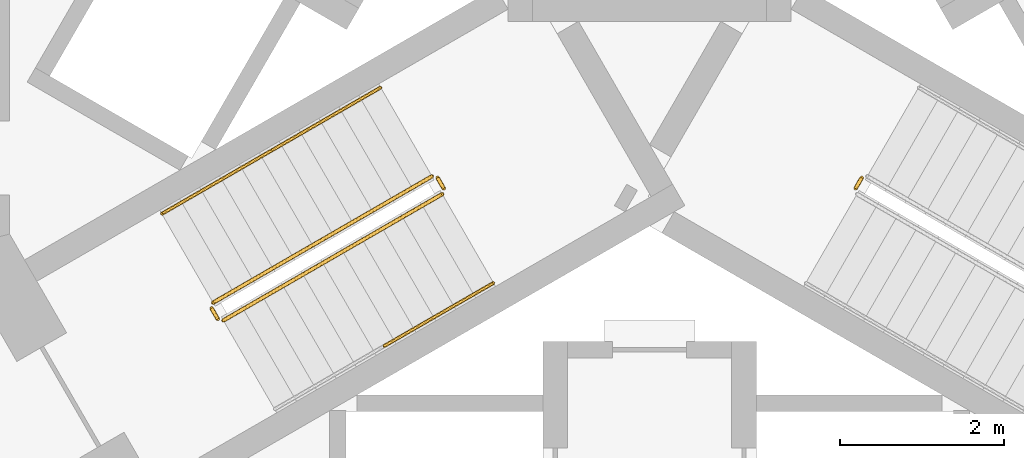
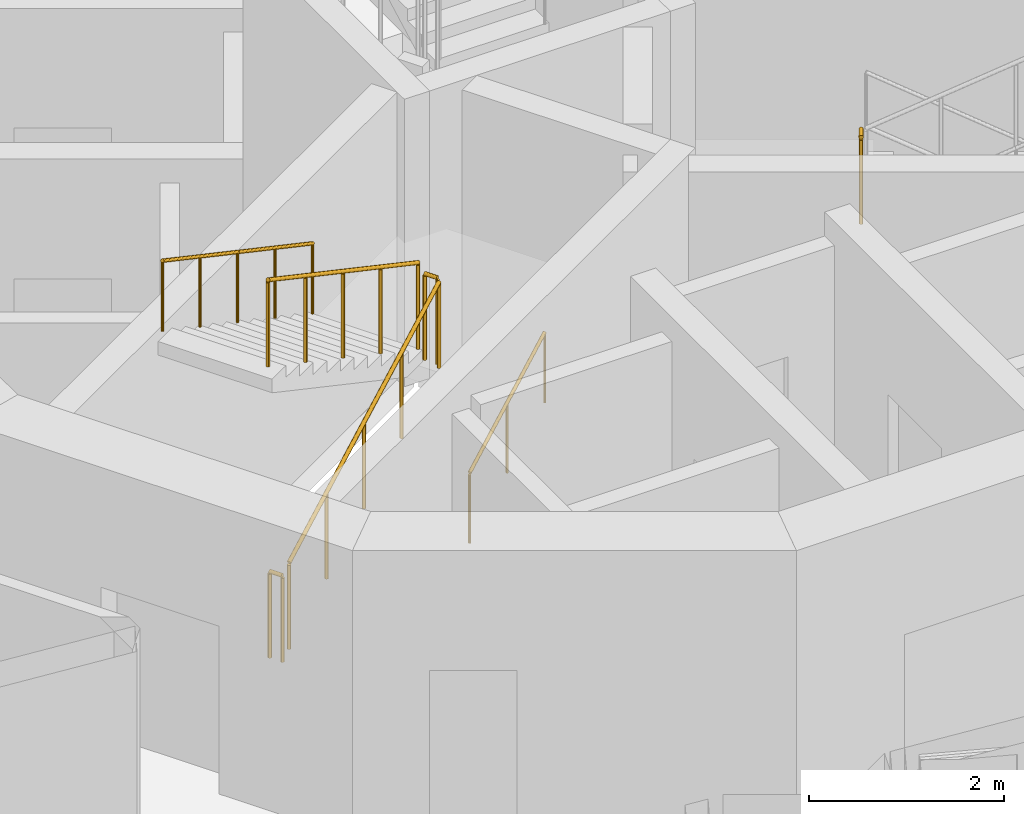
# One storey, part 11 of 16: 8 railings.
"""IFC4 building model written with IfcOpenShell, lengths in metres."""

from ifc_helpers import new_model, si_unit, direction, frame, origin, origin_2d, place, context, subcontext, project, spatial, circle, extrude, material, type_object, element, save


model = new_model("IFC4")

# Units and contexts
model_context = context("Model", 3, precision=1e-05, world=origin(), true_north=direction((0.0, 1.0)))
body_context = subcontext(model_context, "Body", "Model", "MODEL_VIEW")
ifc_project = project(units=[si_unit("LENGTHUNIT", "METRE"), si_unit("AREAUNIT", "SQUARE_METRE"), si_unit("VOLUMEUNIT", "CUBIC_METRE"), si_unit("PLANEANGLEUNIT", "RADIAN"), si_unit("MASSUNIT", "GRAM", prefix="KILO")], contexts=[model_context])

# Site, building, storey
site_placement = place(None, origin())
site = spatial("IfcSite", under=ifc_project, at=site_placement, CompositionType="ELEMENT")
building_placement = place(site_placement, origin())
building = spatial("IfcBuilding", under=site, at=building_placement, Name="Trine Commons Tower", CompositionType="ELEMENT")
storey_placement = place(building_placement, frame((0.0, 0.0, 201.60009765625)))
storey = spatial("IfcBuildingStorey", under=building, at=storey_placement, Name="L52", CompositionType="ELEMENT", Elevation=201.60009765625)

# Railings
ifc_material_1 = material(Name="Stainless steel balustrade", Category="steel")
railing_type_1 = type_object("IfcRailingType", Name="Stair guard, steel balustrade 1100", PredefinedType="GUARDRAIL", material=ifc_material_1)
railing_1_placement = place(storey_placement, frame((74.80517578125, 59.3564453125, 0.14990234375)))
element("IfcRailing", 1, at=railing_1_placement, inside=storey, type_object=railing_type_1, Name="L52 ST2C stair guard 1", PredefinedType="GUARDRAIL", context=body_context, shape_type="SweptSolid", body=[
    extrude(circle(Radius=0.02392578125, at=origin_2d()), frame((0.0, 0.0, 1.076171875), z_axis=(0.76340495495, 0.440743040072, 0.472184759798), x_axis=(-0.499992328818, 0.866029832698, 0.0)), (0.0, 0.0, 1.0), 3.494140625),
    extrude(circle(Radius=0.02099609375, at=origin_2d()), origin(), (0.0, 0.0, 1.0), 1.052001953125),
    extrude(circle(Radius=0.02099609375, at=origin_2d()), frame((0.6669921875, 0.385009765625, 0.41259765625)), (0.0, 0.0, 1.0), 1.052001953125),
    extrude(circle(Radius=0.02099609375, at=origin_2d()), frame((1.333740234375, 0.77001953125, 0.824951171875)), (0.0, 0.0, 1.0), 1.052001953125),
    extrude(circle(Radius=0.02099609375, at=origin_2d()), frame((2.00048828125, 1.155029296875, 1.2373046875)), (0.0, 0.0, 1.0), 1.052001953125),
    extrude(circle(Radius=0.02099609375, at=origin_2d()), frame((2.66748046875, 1.5400390625, 1.64990234375)), (0.0, 0.0, 1.0), 1.052001953125),
])
railing_2_placement = place(storey_placement, frame((77.490966796875, 60.96484375, 1.7998046875)))
element("IfcRailing", 2, at=railing_2_placement, inside=storey, type_object=railing_type_1, Name="L52 ST2C stair guard 2", PredefinedType="GUARDRAIL", context=body_context, shape_type="SweptSolid", body=[
    extrude(circle(Radius=0.02392578125, at=origin_2d()), frame((0.0, 0.0, 1.076171875), z_axis=(-0.501036270542, 0.865426285481, 0.0), x_axis=(-0.865426285481, -0.501036270542, 0.0)), (0.0, 0.0, 1.0), 0.150146484375),
    extrude(circle(Radius=0.02099609375, at=origin_2d()), origin(), (0.0, 0.0, 1.0), 1.052001953125),
    extrude(circle(Radius=0.02099609375, at=origin_2d()), frame((-0.0751953125, 0.1298828125, 0.0)), (0.0, 0.0, 1.0), 1.052001953125),
])
railing_3_placement = place(storey_placement, frame((77.34765625, 61.113037109375, 1.949951171875)))
element("IfcRailing", 3, at=railing_3_placement, inside=storey, type_object=railing_type_1, Name="L52 ST2C stair guard 3", PredefinedType="GUARDRAIL", context=body_context, shape_type="SweptSolid", body=[
    extrude(circle(Radius=0.02392578125, at=origin_2d()), frame((0.0, 0.0, 1.076171875), z_axis=(-0.76340495495, -0.440743040072, 0.472184759798), x_axis=(0.499992328818, -0.866029832698, 0.0)), (0.0, 0.0, 1.0), 3.494140625),
    extrude(circle(Radius=0.02099609375, at=origin_2d()), origin(), (0.0, 0.0, 1.0), 1.052001953125),
    extrude(circle(Radius=0.02099609375, at=origin_2d()), frame((-0.6669921875, -0.385009765625, 0.41259765625)), (0.0, 0.0, 1.0), 1.052001953125),
    extrude(circle(Radius=0.02099609375, at=origin_2d()), frame((-1.333740234375, -0.77001953125, 0.824951171875)), (0.0, 0.0, 1.0), 1.052001953125),
    extrude(circle(Radius=0.02099609375, at=origin_2d()), frame((-2.00048828125, -1.155029296875, 1.2373046875)), (0.0, 0.0, 1.0), 1.052001953125),
    extrude(circle(Radius=0.02099609375, at=origin_2d()), frame((-2.66748046875, -1.5400390625, 1.64990234375)), (0.0, 0.0, 1.0), 1.052001953125),
])
railing_4_placement = place(storey_placement, frame((74.73681640625, 59.374755859375, 0.0)))
element("IfcRailing", 4, at=railing_4_placement, inside=storey, type_object=railing_type_1, Name="L52 ST2C stair guard 4", PredefinedType="GUARDRAIL", context=body_context, shape_type="SweptSolid", body=[
    extrude(circle(Radius=0.02392578125, at=origin_2d()), frame((0.0, 0.0, 1.076171875), z_axis=(-0.499816412211, 0.866131372301, 0.0), x_axis=(-0.866131372301, -0.499816412211, 0.0)), (0.0, 0.0, 1.0), 0.14990234375),
    extrude(circle(Radius=0.02099609375, at=origin_2d()), origin(), (0.0, 0.0, 1.0), 1.052001953125),
    extrude(circle(Radius=0.02099609375, at=origin_2d()), frame((-0.074951171875, 0.1298828125, 0.0)), (0.0, 0.0, 1.0), 1.052001953125),
])
railing_5_placement = place(storey_placement, frame((82.584228515625, 61.0947265625, 1.7998046875)))
element("IfcRailing", 5, at=railing_5_placement, inside=storey, type_object=railing_type_1, Name="L52 ST3C stair guard 2", PredefinedType="GUARDRAIL", context=body_context, shape_type="SweptSolid", body=[
    extrude(circle(Radius=0.02392578125, at=origin_2d()), frame((0.0, 0.0, 1.076171875), z_axis=(-0.501036270542, -0.865426285481, 0.0), x_axis=(0.865426285481, -0.501036270542, 0.0)), (0.0, 0.0, 1.0), 0.150146484375),
    extrude(circle(Radius=0.02099609375, at=origin_2d()), origin(), (0.0, 0.0, 1.0), 1.052001953125),
    extrude(circle(Radius=0.02099609375, at=origin_2d()), frame((-0.0751953125, -0.1298828125, 0.0)), (0.0, 0.0, 1.0), 1.052001953125),
])
ifc_material_2 = material(Name="Stainless steel handrail", Category="steel")
railing_type_2 = type_object("IfcRailingType", Name="Stair handrail, steel 900", PredefinedType="HANDRAIL", material=ifc_material_2)
railing_6_placement = place(storey_placement, frame((76.763916015625, 59.0439453125, 0.974853515625)))
element("IfcRailing", 6, at=railing_6_placement, inside=storey, type_object=railing_type_2, Name="L52 ST2C stair handrail 2", PredefinedType="HANDRAIL", context=body_context, shape_type="SweptSolid", body=[
    extrude(circle(Radius=0.02099609375, at=origin_2d()), frame((0.0, 0.0, 0.87890625), z_axis=(0.76340495495, 0.440743040072, 0.472184759798), x_axis=(-0.499992328818, 0.866029832698, 0.0)), (0.0, 0.0, 1.0), 1.7470703125),
    extrude(circle(Radius=0.01513671875, at=origin_2d()), origin(), (0.0, 0.0, 1.0), 0.85791015625),
    extrude(circle(Radius=0.01513671875, at=origin_2d()), frame((0.6669921875, 0.385009765625, 0.41259765625)), (0.0, 0.0, 1.0), 0.85791015625),
    extrude(circle(Radius=0.01513671875, at=origin_2d()), frame((1.333740234375, 0.77001953125, 0.824951171875)), (0.0, 0.0, 1.0), 0.85791015625),
])
for number, where, name in (
    (7, (76.72265625, 62.195556640625, 1.949951171875), "L52 ST2C stair handrail 3"),
    (8, (75.388916015625, 61.425537109375, 2.77490234375), "L52 ST2C stair handrail 4"),
):
    element("IfcRailing", number, at=place(storey_placement, frame(where)), inside=storey, type_object=railing_type_2, Name=name, PredefinedType="HANDRAIL", context=body_context, shape_type="SweptSolid", body=[
        extrude(circle(Radius=0.02099609375, at=origin_2d()), frame((0.0, 0.0, 0.87890625), z_axis=(-0.76340495495, -0.440743040072, 0.472184759798), x_axis=(0.499992328818, -0.866029832698, 0.0)), (0.0, 0.0, 1.0), 1.7470703125),
        extrude(circle(Radius=0.01513671875, at=origin_2d()), origin(), (0.0, 0.0, 1.0), 0.85791015625),
        extrude(circle(Radius=0.01513671875, at=origin_2d()), frame((-0.6669921875, -0.385009765625, 0.41259765625)), (0.0, 0.0, 1.0), 0.85791015625),
        extrude(circle(Radius=0.01513671875, at=origin_2d()), frame((-1.333740234375, -0.77001953125, 0.824951171875)), (0.0, 0.0, 1.0), 0.85791015625),
    ])

save(model, "model.ifc")
